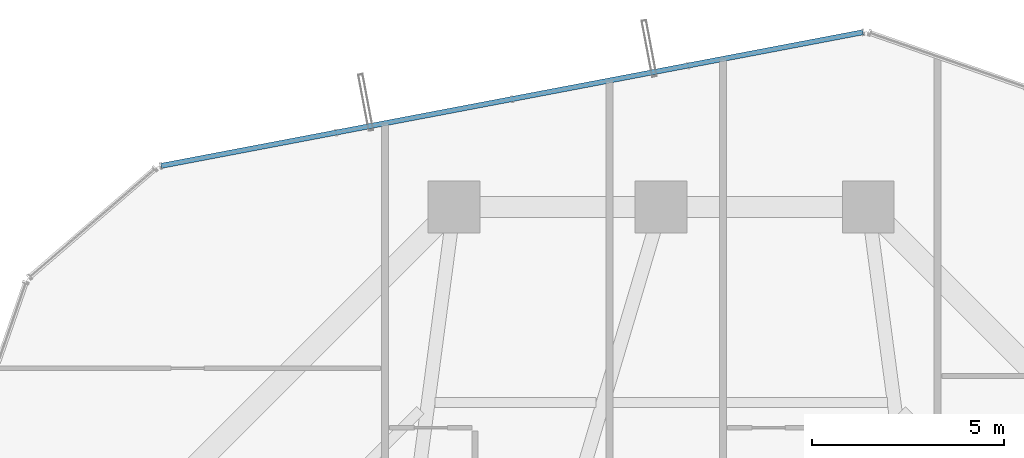
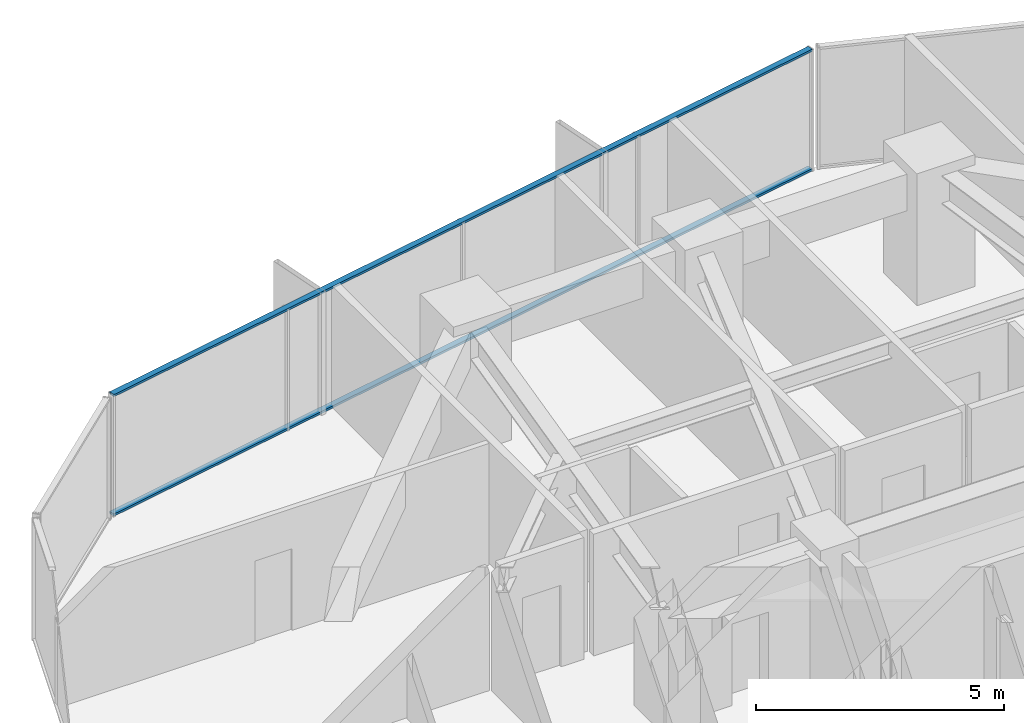
# One storey, part 26 of 38: 2 members, 1 element without a shape of its own.
"""IFC4 building model written with IfcOpenShell, lengths in metres."""

from ifc_helpers import new_model, si_unit, direction, frame, origin, origin_2d, place, context, subcontext, project, spatial, hollow_rectangle, extrude, source, transform, mapped, material, layer, layer_set, material_profile, profile_set, type_object, element, aggregate, save


model = new_model("IFC4")

# Units and contexts
model_context = context("Model", 3, precision=1e-05, world=origin(), true_north=direction((0.0, 1.0)))
body_context = subcontext(model_context, "Body", "Model", "MODEL_VIEW")
ifc_project = project(units=[si_unit("LENGTHUNIT", "METRE"), si_unit("AREAUNIT", "SQUARE_METRE"), si_unit("VOLUMEUNIT", "CUBIC_METRE"), si_unit("PLANEANGLEUNIT", "RADIAN"), si_unit("MASSUNIT", "GRAM", prefix="KILO")], contexts=[model_context])

# Site, building, storey
site_placement = place(None, origin())
site = spatial("IfcSite", under=ifc_project, at=site_placement, CompositionType="ELEMENT")
building_placement = place(site_placement, origin())
building = spatial("IfcBuilding", under=site, at=building_placement, Name="Veraguas Prism Commons", CompositionType="ELEMENT")
storey_placement = place(building_placement, frame((0.0, 0.0, 60.85009765625)))
storey = spatial("IfcBuildingStorey", under=building, at=storey_placement, Name="L16", CompositionType="ELEMENT", Elevation=60.85009765625)

# Curtain wall, members
ifc_material = material(Name="Anodised aluminium EN AW-6063 T6", Category="aluminium")
ifc_layer = layer(ifc_material, 0.169921875, Name="Unitised Flush Curtain Wall Zone 1", Category="aluminium")
ifc_layer_set = layer_set([ifc_layer], Name="Anodised aluminium EN AW-6063 T6")
curtain_wall_type = type_object("IfcCurtainWallType", Name="Unitised Flush Curtain Wall Zone 1", PredefinedType="NOTDEFINED", material=ifc_layer_set)
curtain_wall_placement = place(storey_placement, origin())
curtain_wall = element("IfcCurtainWall", 1, at=curtain_wall_placement, inside=storey, type_object=curtain_wall_type, Name="Tower Facade Curtain Wall L16-F2", PredefinedType="NOTDEFINED")
ifc_material_profile = material_profile(ifc_material, hollow_rectangle(XDim=0.054931640625, YDim=0.135009765625, WallThickness=0.0029296875, at=origin_2d()), Name="AL55X135X3")
ifc_profile_set = profile_set([ifc_material_profile], Name="Anodised aluminium EN AW-6063 T6")
member_type = type_object("IfcMemberType", Name="Curtain Wall Transom Standard AL 55x135x3", PredefinedType="USERDEFINED", material=ifc_profile_set)
shared_shape = source(origin(), body_context, "Body", "SweptSolid", [
    extrude(hollow_rectangle(XDim=0.054931640625, YDim=0.135009765625, WallThickness=0.0029296875, at=origin_2d()), origin(), (0.0, 0.0, 1.0), 18.623779296875),
])
member_1_placement = place(storey_placement, frame((29.260009765625, 46.159423828125, 0.02734375), z_axis=(-0.98235233256, -0.187039821196, 0.0), x_axis=(0.0, 0.0, 1.0)))
member_1 = element("IfcMember", 2, at=member_1_placement, type_object=member_type, Name="CW-Z1 Transom 1", ObjectType="TRANSOM", PredefinedType="USERDEFINED", context=body_context, shape_type="MappedRepresentation", body=[
    mapped(shared_shape, transform((0.0, 0.0, 0.0), scale=1.0)),
])
member_2_placement = place(storey_placement, frame((29.260009765625, 46.159423828125, 2.972412109375), z_axis=(-0.98235233256, -0.187039821196, 0.0), x_axis=(0.0, 0.0, 1.0)))
member_2 = element("IfcMember", 3, at=member_2_placement, type_object=member_type, Name="CW-Z1 Transom 2", ObjectType="TRANSOM", PredefinedType="USERDEFINED", context=body_context, shape_type="MappedRepresentation", body=[
    mapped(shared_shape, transform((0.0, 0.0, 0.0), scale=1.0)),
])
aggregate(curtain_wall, [member_1, member_2])

save(model, "model.ifc")
